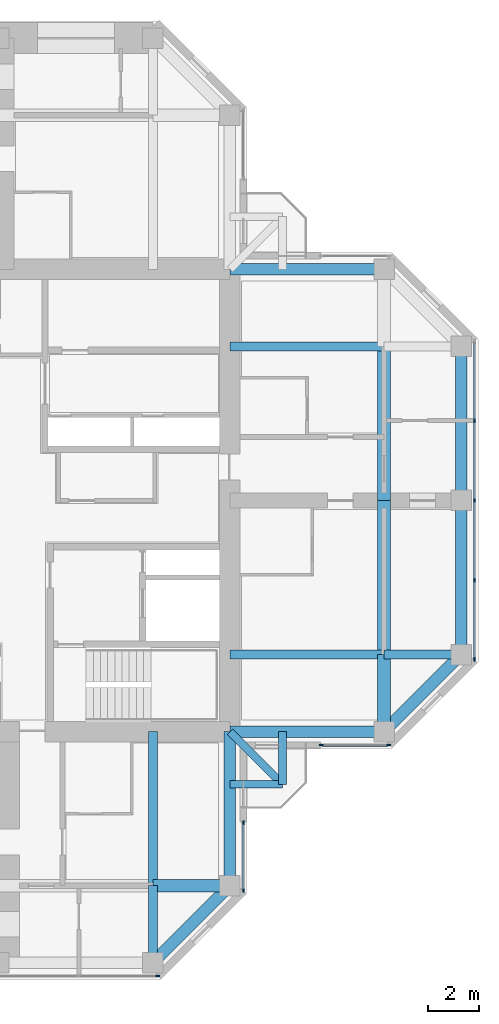
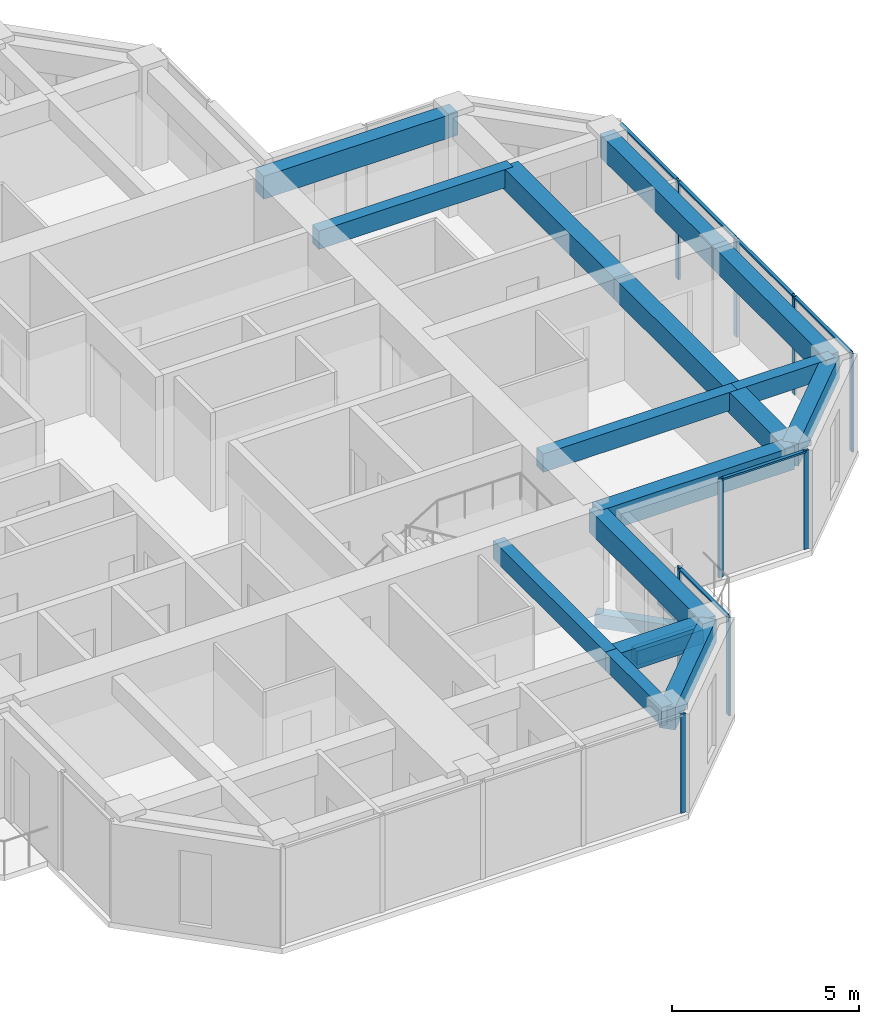
# One storey, part 5 of 14: 19 beams, 15 members, 4 elements without a shape of their own.
"""IFC4 building model written with IfcOpenShell, lengths in metres."""

import ifcopenshell
import ifcopenshell.guid

model = None  # the IFC model being written
_history = None  # IfcOwnerHistory: only IFC2X3 demands one
_inside = {}  # id of a spatial element -> (the spatial element, [elements in it])
_under = {}  # id of a project, library or spatial element -> (it, [spatial elements below it])
_declared = {}  # id of a project -> (the project, [libraries it declares])
_typed = {}  # id of a type object -> (the type object, [elements of that type])
_made_of = {}  # id of a material, layer set ... -> (it, [elements and type objects made of it])


def new_model(schema):
    """Start an empty IFC model of exactly this schema.

    Asked for "IFC4X3", IfcOpenShell would pick the latest addendum, in which some entities
    have other attributes; the version numbers below select the first issue.
    IFC2X3 requires an IfcOwnerHistory on every rooted entity: one is made here for all.
    """
    global model, _history
    if schema == "IFC4X3":
        model = ifcopenshell.file(schema_version=(4, 3, 0, 0))
    else:
        model = ifcopenshell.file(schema=schema)
    _inside.clear()
    _under.clear()
    _declared.clear()
    _typed.clear()
    _made_of.clear()
    _history = None
    if model.schema == "IFC2X3":
        org = make("IfcOrganization", Name="unknown")
        user = make(
            "IfcPersonAndOrganization",
            ThePerson=make("IfcPerson", FamilyName="unknown"),
            TheOrganization=org,
        )
        app = make(
            "IfcApplication",
            ApplicationDeveloper=org,
            Version="unknown",
            ApplicationFullName="unknown",
            ApplicationIdentifier="unknown",
        )
        _history = make(
            "IfcOwnerHistory",
            OwningUser=user,
            OwningApplication=app,
            ChangeAction="ADDED",
            CreationDate=0,
        )
    return model


def make(cls, **values):
    """One entity of the class cls with the attributes given. An attribute that is None is left unset."""
    return model.create_entity(
        cls, **{name: value for name, value in values.items() if value is not None}
    )


def rooted(cls, **values):
    """An entity with a GlobalId (a new one), such as an element, a storey or a relation."""
    return make(cls, GlobalId=ifcopenshell.guid.new(), OwnerHistory=_history, **values)


def si_unit(unit_type, name, prefix=None):
    """IfcSIUnit, for example si_unit("LENGTHUNIT", "METRE", prefix="MILLI")."""
    return make("IfcSIUnit", UnitType=unit_type, Prefix=prefix, Name=name)


def assignment(units):
    """IfcUnitAssignment: the units of a project."""
    return None if units is None else make("IfcUnitAssignment", Units=units)


def point(xyz):
    """IfcCartesianPoint."""
    return None if xyz is None else make("IfcCartesianPoint", Coordinates=xyz)


def direction(xyz):
    """IfcDirection."""
    return None if xyz is None else make("IfcDirection", DirectionRatios=xyz)


def frame(location, z_axis=None, x_axis=None):
    """IfcAxis2Placement3D, a coordinate frame: its origin and axes. An axis left out is left unset."""
    return make(
        "IfcAxis2Placement3D",
        Location=point(location),
        Axis=direction(z_axis),
        RefDirection=direction(x_axis),
    )


def frame_2d(location, x_axis=None):
    """IfcAxis2Placement2D, a coordinate frame in the plane: its origin and x axis."""
    return make(
        "IfcAxis2Placement2D", Location=point(location), RefDirection=direction(x_axis)
    )


def origin():
    """The frame at (0, 0, 0) with its axes left unset."""
    return frame((0.0, 0.0, 0.0))


def origin_2d():
    """The frame at (0, 0) in the plane with its x axis left unset."""
    return frame_2d((0.0, 0.0))


def place(relative_to, where):
    """IfcLocalPlacement: puts the frame where relative to a parent placement (None: the world)."""
    return make(
        "IfcLocalPlacement", PlacementRelTo=relative_to, RelativePlacement=where
    )


def context(
    kind, dimensions, precision=None, world=None, true_north=None, identifier=None
):
    """IfcGeometricRepresentationContext, for example the 3D "Model" context."""
    return make(
        "IfcGeometricRepresentationContext",
        ContextIdentifier=identifier,
        ContextType=kind,
        CoordinateSpaceDimension=dimensions,
        Precision=precision,
        WorldCoordinateSystem=world,
        TrueNorth=true_north,
    )


def subcontext(parent, identifier, kind, view, scale=None):
    """IfcGeometricRepresentationSubContext, for example "Body" below "Model"."""
    return make(
        "IfcGeometricRepresentationSubContext",
        ContextIdentifier=identifier,
        ContextType=kind,
        ParentContext=parent,
        TargetScale=scale,
        TargetView=view,
    )


def project(units=None, contexts=None):
    """IfcProject with its units and contexts."""
    return rooted(
        "IfcProject",
        Name="project",
        RepresentationContexts=contexts,
        UnitsInContext=assignment(units),
    )


def spatial(cls, under=None, at=None, **own):
    """A site, building, storey or space (cls), placed at a placement, below another one or the project."""
    s = rooted(cls, ObjectPlacement=at, **own)
    if under is not None:
        _under.setdefault(under.id(), (under, []))[1].append(s)
    return s


def profile(cls, at=None, kind="AREA", **sizes):
    """A parametric profile (cls). Its sizes go by their IFC names, for example OverallWidth=200.0."""
    return make(cls, ProfileType=kind, Position=at, **sizes)


def rectangle(**sizes):
    """IfcRectangleProfileDef."""
    return profile("IfcRectangleProfileDef", **sizes)


def extrude(swept, where, along, depth):
    """IfcExtrudedAreaSolid: the profile swept, set in the frame where, extruded along a direction by depth."""
    return make(
        "IfcExtrudedAreaSolid",
        SweptArea=swept,
        Position=where,
        ExtrudedDirection=direction(along),
        Depth=depth,
    )


def shape(context_of_items, identifier, shape_type, items):
    """IfcShapeRepresentation: the items that make up one representation, for example the "Body"."""
    return make(
        "IfcShapeRepresentation",
        ContextOfItems=context_of_items,
        RepresentationIdentifier=identifier,
        RepresentationType=shape_type,
        Items=items,
    )


def material(Name=None, Category=None):
    """IfcMaterial."""
    return make("IfcMaterial", Name=Name, Category=Category)


def material_profile(
    of_material, cross_section, Name=None, Category=None, Priority=None
):
    """IfcMaterialProfile: a cross section and its material."""
    return make(
        "IfcMaterialProfile",
        Name=Name,
        Material=of_material,
        Profile=cross_section,
        Priority=Priority,
        Category=Category,
    )


def profile_set(profiles, Name=None, composite=None):
    """IfcMaterialProfileSet."""
    return make(
        "IfcMaterialProfileSet",
        Name=Name,
        MaterialProfiles=profiles,
        CompositeProfile=composite,
    )


def made_of(thing, what):
    """Note that an element or type object is made of a material, layer set ...; save() writes the relation."""
    if what is not None:
        _made_of.setdefault(what.id(), (what, []))[1].append(thing)
    return thing


def type_object(cls, material=None, **own):
    """A type object (cls), such as IfcWallType, which elements share."""
    return made_of(rooted(cls, **own), material)


def element(
    cls,
    number,
    at=None,
    inside=None,
    cuts=None,
    type_object=None,
    material=None,
    context=None,
    identifier="Body",
    shape_type=None,
    held_by="IfcProductDefinitionShape",
    body=None,
    shapes=None,
    **own,
):
    """One element of the class cls, such as IfcWall. Its Tag is "e" and its number.

    at: its placement. inside: the storey or other place that contains it. cuts: it is an
    opening in that element (IfcRelVoidsElement). A single representation is given by context,
    identifier, shape_type and body (its items); several are given by shapes. held_by: the class
    of the entity that holds the representations. save() writes the other relations.
    """
    e = rooted(cls, Tag="e%d" % number, ObjectPlacement=at, **own)
    if body is not None:
        shapes = [shape(context, identifier, shape_type, body)]
    if shapes is not None:
        e.Representation = make(held_by, Representations=shapes)
    if inside is not None:
        _inside.setdefault(inside.id(), (inside, []))[1].append(e)
    if cuts is not None:
        rooted(
            "IfcRelVoidsElement", RelatingBuildingElement=cuts, RelatedOpeningElement=e
        )
    if type_object is not None:
        _typed.setdefault(type_object.id(), (type_object, []))[1].append(e)
    return made_of(e, material)


def aggregate(whole, parts):
    """IfcRelAggregates: a whole, such as a stair, and the parts it consists of."""
    return rooted("IfcRelAggregates", RelatingObject=whole, RelatedObjects=parts)


def save(model, path):
    """Write the relations noted so far, then the file.

    IfcRelAggregates (storeys below a building ...), IfcRelContainedInSpatialStructure (elements
    in a storey), IfcRelDefinesByType, IfcRelAssociatesMaterial and IfcRelDeclares: one each for
    every whole, place, type object, material and project.
    """
    for whole, parts in _under.values():
        aggregate(whole, parts)
    for where, things in _inside.values():
        rooted(
            "IfcRelContainedInSpatialStructure",
            RelatedElements=things,
            RelatingStructure=where,
        )
    for kind, things in _typed.values():
        rooted("IfcRelDefinesByType", RelatedObjects=things, RelatingType=kind)
    for what, things in _made_of.values():
        rooted("IfcRelAssociatesMaterial", RelatedObjects=things, RelatingMaterial=what)
    for by, libraries in _declared.values():
        rooted("IfcRelDeclares", RelatingContext=by, RelatedDefinitions=libraries)
    model.write(path)


model = new_model("IFC4")

# Units and contexts
model_context = context("Model", 3, precision=1e-05, world=origin(), true_north=direction((0.0, 1.0)))
body_context = subcontext(model_context, "Body", "Model", "MODEL_VIEW")
ifc_project = project(units=[si_unit("LENGTHUNIT", "METRE"), si_unit("AREAUNIT", "SQUARE_METRE"), si_unit("VOLUMEUNIT", "CUBIC_METRE"), si_unit("PLANEANGLEUNIT", "RADIAN"), si_unit("MASSUNIT", "GRAM", prefix="KILO")], contexts=[model_context])

# Site, building, storey
site_placement = place(None, origin())
site = spatial("IfcSite", under=ifc_project, at=site_placement, CompositionType="ELEMENT")
building_placement = place(site_placement, origin())
building = spatial("IfcBuilding", under=site, at=building_placement, Name="Torre Cruceta", CompositionType="ELEMENT")
storey_placement = place(building_placement, frame((0.0, 0.0, 228.89990234375)))
storey = spatial("IfcBuildingStorey", under=building, at=storey_placement, Name="L58", CompositionType="ELEMENT", Elevation=228.89990234375)

# Beams
ifc_material_1 = material(Name="Concrete G60 (fck 60 MPa)", Category="concrete")
ifc_material_profile_1 = material_profile(ifc_material_1, rectangle(XDim=0.300048828125, YDim=0.449951171875, at=origin_2d()), Name="RC 300X450")
ifc_profile_set_1 = profile_set([ifc_material_profile_1], Name="Concrete G60 (fck 60 MPa)")
beam_type_1 = type_object("IfcBeamType", Name="BALCONY CANTILEVER BEAM RC 300X450", PredefinedType="BEAM", material=ifc_profile_set_1)
beam_1_placement = place(storey_placement, frame((9.0, -9.0, -0.40478515625), z_axis=(0.707106781187, -0.707106781187, 0.0), x_axis=(0.707106781187, 0.707106781187, 0.0)))
element("IfcBeam", 1, at=beam_1_placement, inside=storey, type_object=beam_type_1, Name="BB1 balcony beam L58 S", PredefinedType="BEAM", context=body_context, shape_type="SweptSolid", body=[
    extrude(rectangle(XDim=0.300048828125, YDim=0.449951171875, at=origin_2d()), origin(), (0.0, 0.0, 1.0), 2.89990234375),
])
for number, where, z_axis, x_axis, name in (
    (2, (11.050537109375, -9.0, -0.40478515625), (0.0, -1.0, 0.0), (1.0, 0.0, 0.0), "BB1 balcony edge beam L58 S-X"),
    (3, (9.0, -11.050537109375, -0.40478515625), (1.0, 0.0, 0.0), (0.0, 1.0, 0.0), "BB1 balcony edge beam L58 S-Y"),
):
    element("IfcBeam", number, at=place(storey_placement, frame(where, z_axis=z_axis, x_axis=x_axis)), inside=storey, type_object=beam_type_1, Name=name, PredefinedType="BEAM", context=body_context, shape_type="SweptSolid", body=[
        extrude(rectangle(XDim=0.300048828125, YDim=0.449951171875, at=origin_2d()), origin(), (0.0, 0.0, 1.0), 2.050537109375),
    ])
ifc_material_2 = material(Name="Concrete G60 (fck 60 MPa)", Category="concrete")
ifc_material_profile_2 = material_profile(ifc_material_2, rectangle(XDim=0.35009765625, YDim=0.60009765625, at=origin_2d()), Name="RC 350X600")
ifc_profile_set_2 = profile_set([ifc_material_profile_2], Name="Concrete G60 (fck 60 MPa)")
beam_type_2 = type_object("IfcBeamType", Name="COLUMN LINE BEAM RC 350X600", PredefinedType="BEAM", material=ifc_profile_set_2)
beam_2_placement = place(storey_placement, frame((9.0, -6.0, 2.920166015625), z_axis=(1.0, 0.0, 0.0), x_axis=(0.0, 1.0, 0.0)))
element("IfcBeam", 4, at=beam_2_placement, inside=storey, type_object=beam_type_2, Name="LB9 L58 E col- 1", PredefinedType="BEAM", context=body_context, shape_type="SweptSolid", body=[
    extrude(rectangle(XDim=0.35009765625, YDim=0.60009765625, at=origin_2d()), origin(), (0.0, 0.0, 1.0), 6.0),
])
beam_3_placement = place(storey_placement, frame((15.0, -6.0, 2.920166015625), z_axis=(1.0, 0.0, 0.0), x_axis=(0.0, 1.0, 0.0)))
element("IfcBeam", 5, at=beam_3_placement, inside=storey, type_object=beam_type_2, Name="LB9 L58 E col- 2", PredefinedType="BEAM", context=body_context, shape_type="SweptSolid", body=[
    extrude(rectangle(XDim=0.35009765625, YDim=0.60009765625, at=origin_2d()), origin(), (0.0, 0.0, 1.0), 3.0),
])
for number, where, z_axis, x_axis, name in (
    (6, (9.0, 6.0, 2.920166015625), (1.0, 0.0, 0.0), (0.0, 1.0, 0.0), "LB9 L58 E col+ 1"),
    (7, (6.0, -9.0, 2.920166015625), (0.0, -1.0, 0.0), (1.0, 0.0, 0.0), "LB9 L58 S col+ 1"),
):
    element("IfcBeam", number, at=place(storey_placement, frame(where, z_axis=z_axis, x_axis=x_axis)), inside=storey, type_object=beam_type_2, Name=name, PredefinedType="BEAM", context=body_context, shape_type="SweptSolid", body=[
        extrude(rectangle(XDim=0.35009765625, YDim=0.60009765625, at=origin_2d()), origin(), (0.0, 0.0, 1.0), 6.0),
    ])
beam_4_placement = place(storey_placement, frame((6.0, -15.0, 2.920166015625), z_axis=(0.0, -1.0, 0.0), x_axis=(1.0, 0.0, 0.0)))
element("IfcBeam", 8, at=beam_4_placement, inside=storey, type_object=beam_type_2, Name="LB9 L58 S col+ 2", PredefinedType="BEAM", context=body_context, shape_type="SweptSolid", body=[
    extrude(rectangle(XDim=0.35009765625, YDim=0.60009765625, at=origin_2d()), origin(), (0.0, 0.0, 1.0), 3.0),
])
ifc_material_3 = material(Name="Concrete G60 (fck 60 MPa)", Category="concrete")
ifc_material_profile_3 = material_profile(ifc_material_3, rectangle(XDim=0.5, YDim=0.699951171875, at=origin_2d()), Name="RC 500X700")
ifc_profile_set_3 = profile_set([ifc_material_profile_3], Name="Concrete G60 (fck 60 MPa)")
beam_type_3 = type_object("IfcBeamType", Name="CROSS BEAM RC 500X700", PredefinedType="BEAM", material=ifc_profile_set_3)
beam_5_placement = place(storey_placement, frame((15.0, -9.0, 2.8701171875), z_axis=(0.0, 1.0, 0.0), x_axis=(-1.0, 0.0, 0.0)))
element("IfcBeam", 9, at=beam_5_placement, inside=storey, type_object=beam_type_3, Name="GB7 L58 E cross15 1", PredefinedType="BEAM", context=body_context, shape_type="SweptSolid", body=[
    extrude(rectangle(XDim=0.5, YDim=0.699951171875, at=origin_2d()), origin(), (0.0, 0.0, 1.0), 3.0),
])
for number, where, z_axis, x_axis, name in (
    (10, (15.0, -6.0, 2.8701171875), (0.0, 1.0, 0.0), (-1.0, 0.0, 0.0), "GB7 L58 E cross15 2"),
    (11, (15.0, 0.0, 2.8701171875), (0.0, 1.0, 0.0), (-1.0, 0.0, 0.0), "GB7 L58 E cross15 3"),
):
    element("IfcBeam", number, at=place(storey_placement, frame(where, z_axis=z_axis, x_axis=x_axis)), inside=storey, type_object=beam_type_3, Name=name, PredefinedType="BEAM", context=body_context, shape_type="SweptSolid", body=[
        extrude(rectangle(XDim=0.5, YDim=0.699951171875, at=origin_2d()), origin(), (0.0, 0.0, 1.0), 6.0),
    ])
beam_6_placement = place(storey_placement, frame((6.0, -15.0, 2.8701171875), z_axis=(1.0, 0.0, 0.0), x_axis=(0.0, 1.0, 0.0)))
element("IfcBeam", 12, at=beam_6_placement, inside=storey, type_object=beam_type_3, Name="GB7 L58 S cross15 4", PredefinedType="BEAM", context=body_context, shape_type="SweptSolid", body=[
    extrude(rectangle(XDim=0.5, YDim=0.699951171875, at=origin_2d()), origin(), (0.0, 0.0, 1.0), 3.0),
])

# Curtain wall, members
ifc_material_4 = material(Name="Aluminium unitised curtain wall", Category="aluminium")
curtain_wall_type = type_object("IfcCurtainWallType", Name="CURTAIN WALL CW-D CO-LIVING UPPER", PredefinedType="USERDEFINED", material=ifc_material_4)
curtain_wall_1_placement = place(storey_placement, origin())
curtain_wall_1 = element("IfcCurtainWall", 13, at=curtain_wall_1_placement, inside=storey, type_object=curtain_wall_type, Name="CW-D L58 E side 00", ObjectType="UNITISED", PredefinedType="USERDEFINED")
ifc_material_5 = material(Name="Aluminium mullion", Category="aluminium")
ifc_material_profile_4 = material_profile(ifc_material_5, rectangle(XDim=0.06005859375, YDim=0.14990234375, at=origin_2d()), Name="AL 60X150")
ifc_profile_set_4 = profile_set([ifc_material_profile_4], Name="Aluminium mullion")
member_type_1 = type_object("IfcMemberType", Name="CW-D MULLION 60X150", PredefinedType="MULLION", material=ifc_profile_set_4)
member_1_placement = place(storey_placement, frame((12.550048828125, -9.52001953125, 0.0), z_axis=(0.0, 0.0, 1.0), x_axis=(0.0, 1.0, 0.0)))
member_1 = element("IfcMember", 14, at=member_1_placement, type_object=member_type_1, Name="CW-D mullion 1", PredefinedType="MULLION", context=body_context, shape_type="SweptSolid", body=[
    extrude(rectangle(XDim=0.06005859375, YDim=0.14990234375, at=origin_2d()), origin(), (0.0, 0.0, 1.0), 3.22021484375),
])
member_2_placement = place(storey_placement, frame((15.185302734375, -9.52001953125, 0.0), z_axis=(0.0, 0.0, 1.0), x_axis=(0.0, 1.0, 0.0)))
member_2 = element("IfcMember", 15, at=member_2_placement, type_object=member_type_1, Name="CW-D mullion 2", PredefinedType="MULLION", context=body_context, shape_type="SweptSolid", body=[
    extrude(rectangle(XDim=0.06005859375, YDim=0.14990234375, at=origin_2d()), origin(), (0.0, 0.0, 1.0), 3.22021484375),
])

curtain_wall_2_placement = place(storey_placement, origin())
curtain_wall_2 = element("IfcCurtainWall", 16, at=curtain_wall_2_placement, inside=storey, type_object=curtain_wall_type, Name="CW-D L58 E tip 02", ObjectType="UNITISED", PredefinedType="USERDEFINED")
member_3_placement = place(storey_placement, frame((18.52001953125, -6.185302734375, 0.0), z_axis=(0.0, 0.0, 1.0), x_axis=(-1.0, 0.0, 0.0)))
member_3 = element("IfcMember", 17, at=member_3_placement, type_object=member_type_1, Name="CW-D mullion 1", PredefinedType="MULLION", context=body_context, shape_type="SweptSolid", body=[
    extrude(rectangle(XDim=0.06005859375, YDim=0.14990234375, at=origin_2d()), origin(), (0.0, 0.0, 1.0), 3.22021484375),
])
member_4_placement = place(storey_placement, frame((18.52001953125, -3.107666015625, 0.0), z_axis=(0.0, 0.0, 1.0), x_axis=(-1.0, 0.0, 0.0)))
member_4 = element("IfcMember", 18, at=member_4_placement, type_object=member_type_1, Name="CW-D mullion 2", PredefinedType="MULLION", context=body_context, shape_type="SweptSolid", body=[
    extrude(rectangle(XDim=0.06005859375, YDim=0.14990234375, at=origin_2d()), origin(), (0.0, 0.0, 1.0), 3.22021484375),
])
member_5_placement = place(storey_placement, frame((18.52001953125, 0.0, 0.0), z_axis=(0.0, 0.0, 1.0), x_axis=(-1.0, 0.0, 0.0)))
member_5 = element("IfcMember", 19, at=member_5_placement, type_object=member_type_1, Name="CW-D mullion 3", PredefinedType="MULLION", context=body_context, shape_type="SweptSolid", body=[
    extrude(rectangle(XDim=0.06005859375, YDim=0.14990234375, at=origin_2d()), origin(), (0.0, 0.0, 1.0), 3.22021484375),
])
member_6_placement = place(storey_placement, frame((18.52001953125, 3.107666015625, 0.0), z_axis=(0.0, 0.0, 1.0), x_axis=(-1.0, 0.0, 0.0)))
member_6 = element("IfcMember", 20, at=member_6_placement, type_object=member_type_1, Name="CW-D mullion 4", PredefinedType="MULLION", context=body_context, shape_type="SweptSolid", body=[
    extrude(rectangle(XDim=0.06005859375, YDim=0.14990234375, at=origin_2d()), origin(), (0.0, 0.0, 1.0), 3.22021484375),
])

# Curtain wall, member
curtain_wall_3_placement = place(storey_placement, origin())
curtain_wall_3 = element("IfcCurtainWall", 21, at=curtain_wall_3_placement, inside=storey, type_object=curtain_wall_type, Name="CW-D L58 S tip 17", ObjectType="UNITISED", PredefinedType="USERDEFINED")
member_7_placement = place(storey_placement, frame((6.185302734375, -18.52001953125, 0.0), z_axis=(0.0, 0.0, 1.0), x_axis=(0.0, 1.0, 0.0)))
member_7 = element("IfcMember", 22, at=member_7_placement, type_object=member_type_1, Name="CW-D mullion 5", PredefinedType="MULLION", context=body_context, shape_type="SweptSolid", body=[
    extrude(rectangle(XDim=0.06005859375, YDim=0.14990234375, at=origin_2d()), origin(), (0.0, 0.0, 1.0), 3.22021484375),
])
aggregate(curtain_wall_3, [member_7])

# Curtain wall, members
curtain_wall_4_placement = place(storey_placement, origin())
curtain_wall_4 = element("IfcCurtainWall", 23, at=curtain_wall_4_placement, inside=storey, type_object=curtain_wall_type, Name="CW-D L58 S side 19", ObjectType="UNITISED", PredefinedType="USERDEFINED")
member_8_placement = place(storey_placement, frame((9.52001953125, -15.185302734375, 0.0), z_axis=(0.0, 0.0, 1.0), x_axis=(-1.0, 0.0, 0.0)))
member_8 = element("IfcMember", 24, at=member_8_placement, type_object=member_type_1, Name="CW-D mullion 1", PredefinedType="MULLION", context=body_context, shape_type="SweptSolid", body=[
    extrude(rectangle(XDim=0.06005859375, YDim=0.14990234375, at=origin_2d()), origin(), (0.0, 0.0, 1.0), 3.22021484375),
])
member_9_placement = place(storey_placement, frame((9.52001953125, -12.550048828125, 0.0), z_axis=(0.0, 0.0, 1.0), x_axis=(-1.0, 0.0, 0.0)))
member_9 = element("IfcMember", 25, at=member_9_placement, type_object=member_type_1, Name="CW-D mullion 2", PredefinedType="MULLION", context=body_context, shape_type="SweptSolid", body=[
    extrude(rectangle(XDim=0.06005859375, YDim=0.14990234375, at=origin_2d()), origin(), (0.0, 0.0, 1.0), 3.22021484375),
])

# Member
ifc_material_6 = material(Name="Aluminium transom", Category="aluminium")
ifc_material_profile_5 = material_profile(ifc_material_6, rectangle(XDim=0.10009765625, YDim=0.06005859375, at=origin_2d()), Name="AL 100X60")
ifc_profile_set_5 = profile_set([ifc_material_profile_5], Name="Aluminium transom")
member_type_2 = type_object("IfcMemberType", Name="CW-D TRANSOM 60X100", PredefinedType="USERDEFINED", material=ifc_profile_set_5)
member_10_placement = place(storey_placement, frame((12.580078125, -9.52001953125, 3.190185546875), z_axis=(1.0, 0.0, 0.0), x_axis=(0.0, 1.0, 0.0)))
member_10 = element("IfcMember", 26, at=member_10_placement, type_object=member_type_2, Name="CW-D transom 1", ObjectType="TRANSOM", PredefinedType="USERDEFINED", context=body_context, shape_type="SweptSolid", body=[
    extrude(rectangle(XDim=0.10009765625, YDim=0.06005859375, at=origin_2d()), origin(), (0.0, 0.0, 1.0), 2.5751953125),
])

aggregate(curtain_wall_1, [member_1, member_2, member_10])

member_11_placement = place(storey_placement, frame((18.52001953125, -6.1552734375, 3.190185546875), z_axis=(0.0, 1.0, 0.0), x_axis=(-1.0, 0.0, 0.0)))
member_11 = element("IfcMember", 27, at=member_11_placement, type_object=member_type_2, Name="CW-D transom 1", ObjectType="TRANSOM", PredefinedType="USERDEFINED", context=body_context, shape_type="SweptSolid", body=[
    extrude(rectangle(XDim=0.10009765625, YDim=0.06005859375, at=origin_2d()), origin(), (0.0, 0.0, 1.0), 3.017578125),
])

member_12_placement = place(storey_placement, frame((18.52001953125, -3.07763671875, 3.190185546875), z_axis=(0.0, 1.0, 0.0), x_axis=(-1.0, 0.0, 0.0)))
member_12 = element("IfcMember", 28, at=member_12_placement, type_object=member_type_2, Name="CW-D transom 2", ObjectType="TRANSOM", PredefinedType="USERDEFINED", context=body_context, shape_type="SweptSolid", body=[
    extrude(rectangle(XDim=0.10009765625, YDim=0.06005859375, at=origin_2d()), origin(), (0.0, 0.0, 1.0), 3.047607421875),
])

member_13_placement = place(storey_placement, frame((18.52001953125, 0.030029296875, 3.190185546875), z_axis=(0.0, 1.0, 0.0), x_axis=(-1.0, 0.0, 0.0)))
member_13 = element("IfcMember", 29, at=member_13_placement, type_object=member_type_2, Name="CW-D transom 3", ObjectType="TRANSOM", PredefinedType="USERDEFINED", context=body_context, shape_type="SweptSolid", body=[
    extrude(rectangle(XDim=0.10009765625, YDim=0.06005859375, at=origin_2d()), origin(), (0.0, 0.0, 1.0), 3.047607421875),
])

member_14_placement = place(storey_placement, frame((18.52001953125, 3.1376953125, 3.190185546875), z_axis=(0.0, 1.0, 0.0), x_axis=(-1.0, 0.0, 0.0)))
member_14 = element("IfcMember", 30, at=member_14_placement, type_object=member_type_2, Name="CW-D transom 4", ObjectType="TRANSOM", PredefinedType="USERDEFINED", context=body_context, shape_type="SweptSolid", body=[
    extrude(rectangle(XDim=0.10009765625, YDim=0.06005859375, at=origin_2d()), origin(), (0.0, 0.0, 1.0), 3.017578125),
])

aggregate(curtain_wall_2, [member_3, member_4, member_5, member_6, member_11, member_12, member_13, member_14])

member_15_placement = place(storey_placement, frame((9.52001953125, -15.1552734375, 3.190185546875), z_axis=(0.0, 1.0, 0.0), x_axis=(-1.0, 0.0, 0.0)))
member_15 = element("IfcMember", 31, at=member_15_placement, type_object=member_type_2, Name="CW-D transom 1", ObjectType="TRANSOM", PredefinedType="USERDEFINED", context=body_context, shape_type="SweptSolid", body=[
    extrude(rectangle(XDim=0.10009765625, YDim=0.06005859375, at=origin_2d()), origin(), (0.0, 0.0, 1.0), 2.5751953125),
])

aggregate(curtain_wall_4, [member_8, member_9, member_15])

# Beams
ifc_material_7 = material(Name="Concrete G60 (fck 60 MPa)", Category="concrete")
ifc_material_profile_6 = material_profile(ifc_material_7, rectangle(XDim=0.449951171875, YDim=0.75, at=origin_2d()), Name="RC 450X750")
ifc_profile_set_6 = profile_set([ifc_material_profile_6], Name="Concrete G60 (fck 60 MPa)")
beam_type_4 = type_object("IfcBeamType", Name="SPANDREL BEAM RC 450X750", PredefinedType="SPANDREL", material=ifc_profile_set_6)
beam_7_placement = place(storey_placement, frame((9.0, -9.0, 2.84521484375), z_axis=(1.0, 0.0, 0.0), x_axis=(0.0, 1.0, 0.0)))
element("IfcBeam", 32, at=beam_7_placement, inside=storey, type_object=beam_type_4, Name="SB7 L58 E side- 1", PredefinedType="SPANDREL", context=body_context, shape_type="SweptSolid", body=[
    extrude(rectangle(XDim=0.449951171875, YDim=0.75, at=origin_2d()), origin(), (0.0, 0.0, 1.0), 6.0),
])
beam_8_placement = place(storey_placement, frame((15.0, -9.0, 2.84521484375), z_axis=(0.707106781187, 0.707106781187, 0.0), x_axis=(-0.707106781187, 0.707106781187, 0.0)))
element("IfcBeam", 33, at=beam_8_placement, inside=storey, type_object=beam_type_4, Name="SB7 L58 E side- 2", PredefinedType="SPANDREL", context=body_context, shape_type="SweptSolid", body=[
    extrude(rectangle(XDim=0.449951171875, YDim=0.75, at=origin_2d()), origin(), (0.0, 0.0, 1.0), 4.24267578125),
])
for number, where, z_axis, x_axis, name in (
    (34, (9.0, 9.0, 2.84521484375), (1.0, 0.0, 0.0), (0.0, 1.0, 0.0), "SB7 L58 E side+ 1"),
    (35, (18.0, -6.0, 2.84521484375), (0.0, 1.0, 0.0), (-1.0, 0.0, 0.0), "SB7 L58 E tip 1"),
    (36, (18.0, 0.0, 2.84521484375), (0.0, 1.0, 0.0), (-1.0, 0.0, 0.0), "SB7 L58 E tip 2"),
    (37, (9.0, -9.0, 2.84521484375), (0.0, -1.0, 0.0), (1.0, 0.0, 0.0), "SB7 L58 S side+ 1"),
):
    element("IfcBeam", number, at=place(storey_placement, frame(where, z_axis=z_axis, x_axis=x_axis)), inside=storey, type_object=beam_type_4, Name=name, PredefinedType="SPANDREL", context=body_context, shape_type="SweptSolid", body=[
        extrude(rectangle(XDim=0.449951171875, YDim=0.75, at=origin_2d()), origin(), (0.0, 0.0, 1.0), 6.0),
    ])
beam_9_placement = place(storey_placement, frame((9.0, -15.0, 2.84521484375), z_axis=(-0.707106781187, -0.707106781187, 0.0), x_axis=(0.707106781187, -0.707106781187, 0.0)))
element("IfcBeam", 38, at=beam_9_placement, inside=storey, type_object=beam_type_4, Name="SB7 L58 S side+ 2", PredefinedType="SPANDREL", context=body_context, shape_type="SweptSolid", body=[
    extrude(rectangle(XDim=0.449951171875, YDim=0.75, at=origin_2d()), origin(), (0.0, 0.0, 1.0), 4.24267578125),
])

save(model, "model.ifc")
